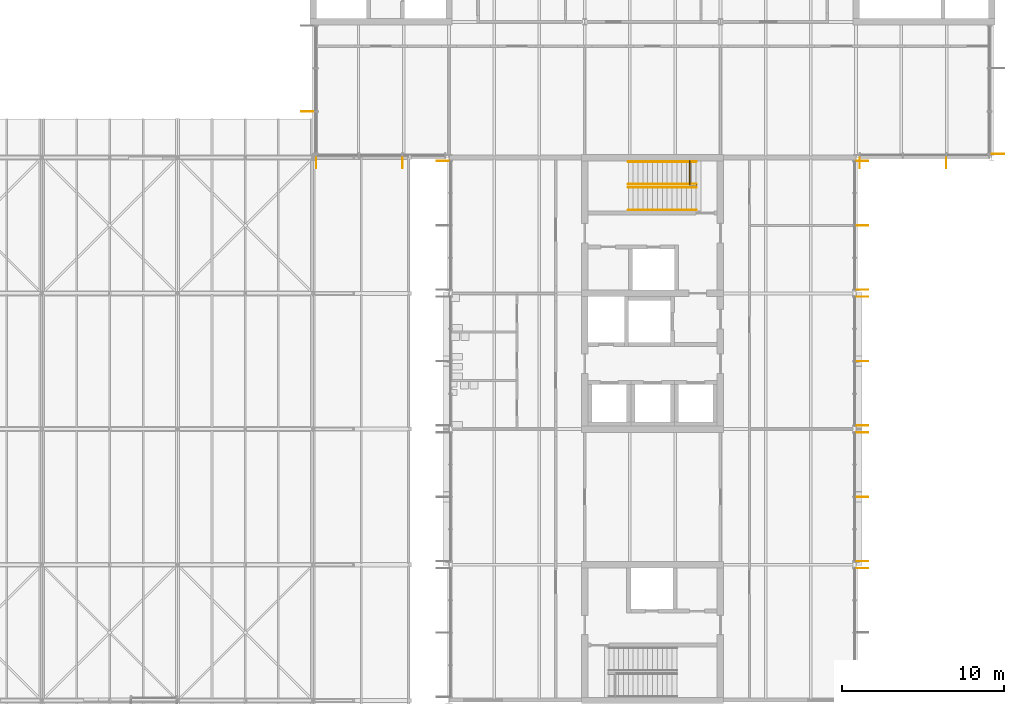
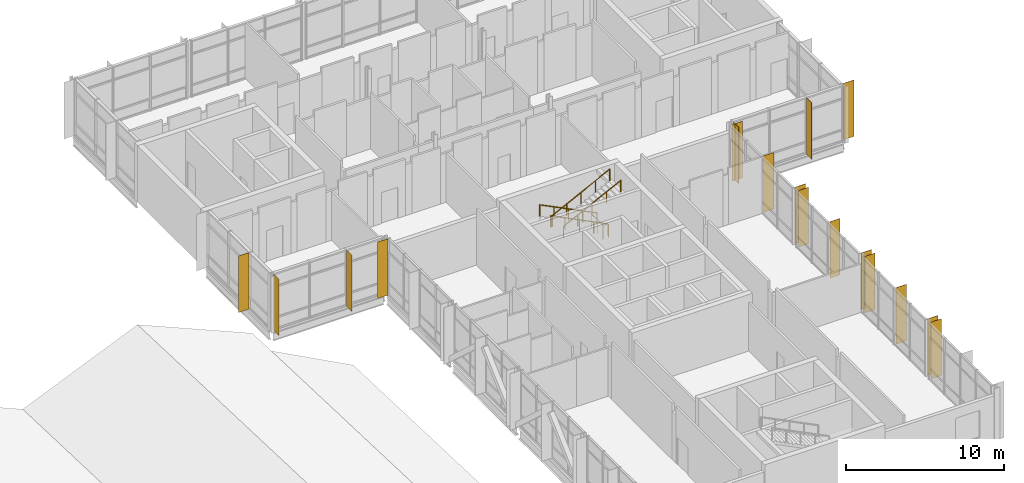
# One storey, part 73 of 76: 17 shading devices, 5 railings.
"""IFC4 building model written with IfcOpenShell, lengths in metres."""

from ifc_helpers import new_model, si_unit, direction, frame, origin, origin_2d, place, context, subcontext, project, spatial, rectangle, circle, extrude, material, layer, layer_set, type_object, element, save


model = new_model("IFC4")

# Units and contexts
model_context = context("Model", 3, precision=1e-05, world=origin(), true_north=direction((0.0, 1.0)))
body_context = subcontext(model_context, "Body", "Model", "MODEL_VIEW")
ifc_project = project(units=[si_unit("LENGTHUNIT", "METRE"), si_unit("AREAUNIT", "SQUARE_METRE"), si_unit("VOLUMEUNIT", "CUBIC_METRE"), si_unit("PLANEANGLEUNIT", "RADIAN"), si_unit("MASSUNIT", "GRAM", prefix="KILO")], contexts=[model_context])

# Site, building, storey
site_placement = place(None, origin())
site = spatial("IfcSite", under=ifc_project, at=site_placement, CompositionType="ELEMENT")
building_placement = place(site_placement, origin())
building = spatial("IfcBuilding", under=site, at=building_placement, Name="Hlaing Beacon Police Headquarters", CompositionType="ELEMENT")
storey_placement = place(building_placement, frame((0.0, 0.0, 18.89990234375)))
storey = spatial("IfcBuildingStorey", under=building, at=storey_placement, Name="L04", CompositionType="ELEMENT", Elevation=18.89990234375)

# Shading devices
ifc_material_1 = material(Name="Aluminium 6063-T5 anodised", Category="aluminium")
ifc_layer_1 = layer(ifc_material_1, 0.01611328125)
ifc_layer_set_1 = layer_set([ifc_layer_1], Name="Aluminium 6063-T5 anodised")
shading_device_type_1 = type_object("IfcShadingDeviceType", Name="Aluminium fin 16x650", PredefinedType="JALOUSIE", material=ifc_layer_set_1)
for number, where, z_axis, x_axis, name in (
    (1, (126.226806640625, 66.875, 0.0), (0.0, 0.0, 1.0), (1.0, 0.0, 0.0), "Fin L04 S008.0"),
    (2, (131.57763671875, 66.875, 0.0), (0.0, 0.0, 1.0), (1.0, 0.0, 0.0), "Fin L04 S008.2"),
    (3, (92.590087890625, 66.875, 0.0), (0.0, 0.0, 1.0), (1.0, 0.0, 0.0), "Fin L04 S018.0"),
    (4, (97.925537109375, 66.875, 0.0), (0.0, 0.0, 1.0), (1.0, 0.0, 0.0), "Fin L04 S018.2"),
):
    element("IfcShadingDevice", number, at=place(storey_placement, frame(where, z_axis=z_axis, x_axis=x_axis)), inside=storey, type_object=shading_device_type_1, Name=name, PredefinedType="JALOUSIE", context=body_context, shape_type="SweptSolid", body=[
        extrude(rectangle(XDim=0.01611328125, YDim=0.64990234375, at=origin_2d()), origin(), (0.0, 0.0, 1.0), 4.3701171875),
    ])
ifc_material_2 = material(Name="Aluminium 6063-T5 anodised", Category="aluminium")
ifc_layer_2 = layer(ifc_material_2, 0.01611328125)
ifc_layer_set_2 = layer_set([ifc_layer_2], Name="Aluminium 6063-T5 anodised")
shading_device_type_2 = type_object("IfcShadingDeviceType", Name="Aluminium fin 16x750", PredefinedType="JALOUSIE", material=ifc_layer_set_2)
for number, where, z_axis, x_axis, name in (
    (5, (126.375, 41.781982421875, 0.0), (0.0, 0.0, 1.0), (0.0, 1.0, 0.0), "Fin L04 E004.4"),
    (6, (126.375, 42.218017578125, 0.0), (0.0, 0.0, 1.0), (0.0, 1.0, 0.0), "Fin L04 E005.0"),
    (7, (126.375, 46.199951171875, 0.0), (0.0, 0.0, 1.0), (0.0, 1.0, 0.0), "Fin L04 E005.2"),
    (8, (126.375, 50.181884765625, 0.0), (0.0, 0.0, 1.0), (0.0, 1.0, 0.0), "Fin L04 E005.4"),
    (9, (126.375, 50.617919921875, 0.0), (0.0, 0.0, 1.0), (0.0, 1.0, 0.0), "Fin L04 E006.0"),
    (10, (126.375, 54.60009765625, 0.0), (0.0, 0.0, 1.0), (0.0, 1.0, 0.0), "Fin L04 E006.2"),
    (11, (126.375, 58.58203125, 0.0), (0.0, 0.0, 1.0), (0.0, 1.0, 0.0), "Fin L04 E006.4"),
    (12, (126.375, 59.01806640625, 0.0), (0.0, 0.0, 1.0), (0.0, 1.0, 0.0), "Fin L04 E007.0"),
    (13, (126.375, 63.001953125, 0.0), (0.0, 0.0, 1.0), (0.0, 1.0, 0.0), "Fin L04 E007.2"),
    (14, (126.375, 66.98583984375, 0.0), (0.0, 0.0, 1.0), (0.0, 1.0, 0.0), "Fin L04 E007.4"),
    (15, (134.77490234375, 67.41650390625, 0.0), (0.0, 0.0, 1.0), (0.0, 1.0, 0.0), "Fin L04 E009.0"),
    (16, (92.02490234375, 70.051025390625, 0.0), (0.0, 0.0, 1.0), (0.0, -1.0, 0.0), "Fin L04 W017.2"),
    (17, (100.425048828125, 66.98583984375, 0.0), (0.0, 0.0, 1.0), (0.0, -1.0, 0.0), "Fin L04 W019.0"),
):
    element("IfcShadingDevice", number, at=place(storey_placement, frame(where, z_axis=z_axis, x_axis=x_axis)), inside=storey, type_object=shading_device_type_2, Name=name, PredefinedType="JALOUSIE", context=body_context, shape_type="SweptSolid", body=[
        extrude(rectangle(XDim=0.01611328125, YDim=0.75, at=origin_2d()), origin(), (0.0, 0.0, 1.0), 4.3701171875),
    ])

# Railings
ifc_material_3 = material(Name="Stainless steel", Category="steel")
railing_type_1 = type_object("IfcRailingType", Name="Stair guard 1100", PredefinedType="GUARDRAIL", material=ifc_material_3)
railing_placement = place(storey_placement, frame((115.699951171875, 67.0, 0.0)))
element("IfcRailing", 18, at=railing_placement, inside=storey, type_object=railing_type_1, Name="Guard ST-M", PredefinedType="GUARDRAIL", context=body_context, shape_type="SweptSolid", body=[
    extrude(circle(Radius=0.02392578125, at=origin_2d()), frame((0.0, 0.0, 1.076171875), z_axis=(0.0, -1.0, 0.0), x_axis=(1.0, 0.0, 0.0)), (0.0, 0.0, 1.0), 1.5),
    extrude(circle(Radius=0.02392578125, at=origin_2d()), frame((0.0, -1.5, 1.076171875), z_axis=(1.0, 0.0, 0.0), x_axis=(0.0, 1.0, 0.0)), (0.0, 0.0, 1.0), 0.400146484375),
    extrude(circle(Radius=0.02099609375, at=origin_2d()), origin(), (0.0, 0.0, 1.0), 1.052001953125),
    extrude(circle(Radius=0.02099609375, at=origin_2d()), frame((0.0, -0.75, 0.0)), (0.0, 0.0, 1.0), 1.052001953125),
    extrude(circle(Radius=0.02099609375, at=origin_2d()), frame((0.0, -1.5, 0.0)), (0.0, 0.0, 1.0), 1.052001953125),
    extrude(circle(Radius=0.02099609375, at=origin_2d()), frame((0.400146484375, -1.5, 0.0)), (0.0, 0.0, 1.0), 1.052001953125),
])
ifc_material_4 = material(Name="Stainless steel", Category="steel")
railing_type_2 = type_object("IfcRailingType", Name="Stair handrail 900", PredefinedType="HANDRAIL", material=ifc_material_4)
for number, where, name in (
    (19, (116.10009765625, 66.949951171875, 0.150146484375), "Handrail ST-M"),
    (20, (116.10009765625, 65.550048828125, 0.150146484375), "Handrail ST-M"),
):
    element("IfcRailing", number, at=place(storey_placement, frame(where)), inside=storey, type_object=railing_type_2, Name=name, PredefinedType="HANDRAIL", context=body_context, shape_type="SweptSolid", body=[
        extrude(circle(Radius=0.02392578125, at=origin_2d()), frame((0.0, 0.0, 0.8759765625), z_axis=(-0.894447986312, 0.0, 0.447172002457), x_axis=(0.0, -1.0, 0.0)), (0.0, 0.0, 1.0), 4.69580078125),
        extrude(circle(Radius=0.02099609375, at=origin_2d()), origin(), (0.0, 0.0, 1.0), 0.851806640625),
        extrude(circle(Radius=0.02099609375, at=origin_2d()), frame((-1.050048828125, 0.0, 0.52490234375)), (0.0, 0.0, 1.0), 0.851806640625),
        extrude(circle(Radius=0.02099609375, at=origin_2d()), frame((-2.10009765625, 0.0, 1.0498046875)), (0.0, 0.0, 1.0), 0.851806640625),
        extrude(circle(Radius=0.02099609375, at=origin_2d()), frame((-3.150146484375, 0.0, 1.574951171875)), (0.0, 0.0, 1.0), 0.851806640625),
        extrude(circle(Radius=0.02099609375, at=origin_2d()), frame((-4.2001953125, 0.0, 2.099853515625)), (0.0, 0.0, 1.0), 0.851806640625),
    ])
for number, where, name in (
    (21, (111.89990234375, 65.35009765625, 2.400146484375), "Handrail ST-M"),
    (22, (111.89990234375, 63.949951171875, 2.400146484375), "Handrail ST-M"),
):
    element("IfcRailing", number, at=place(storey_placement, frame(where)), inside=storey, type_object=railing_type_2, Name=name, PredefinedType="HANDRAIL", context=body_context, shape_type="SweptSolid", body=[
        extrude(circle(Radius=0.02392578125, at=origin_2d()), frame((0.0, 0.0, 0.8759765625), z_axis=(0.894447986312, 0.0, 0.447172002457), x_axis=(0.0, 1.0, 0.0)), (0.0, 0.0, 1.0), 4.69580078125),
        extrude(circle(Radius=0.02099609375, at=origin_2d()), origin(), (0.0, 0.0, 1.0), 0.851806640625),
        extrude(circle(Radius=0.02099609375, at=origin_2d()), frame((1.050048828125, 0.0, 0.52490234375)), (0.0, 0.0, 1.0), 0.851806640625),
        extrude(circle(Radius=0.02099609375, at=origin_2d()), frame((2.10009765625, 0.0, 1.0498046875)), (0.0, 0.0, 1.0), 0.851806640625),
        extrude(circle(Radius=0.02099609375, at=origin_2d()), frame((3.150146484375, 0.0, 1.574951171875)), (0.0, 0.0, 1.0), 0.851806640625),
        extrude(circle(Radius=0.02099609375, at=origin_2d()), frame((4.2001953125, 0.0, 2.099853515625)), (0.0, 0.0, 1.0), 0.851806640625),
    ])

save(model, "model.ifc")
